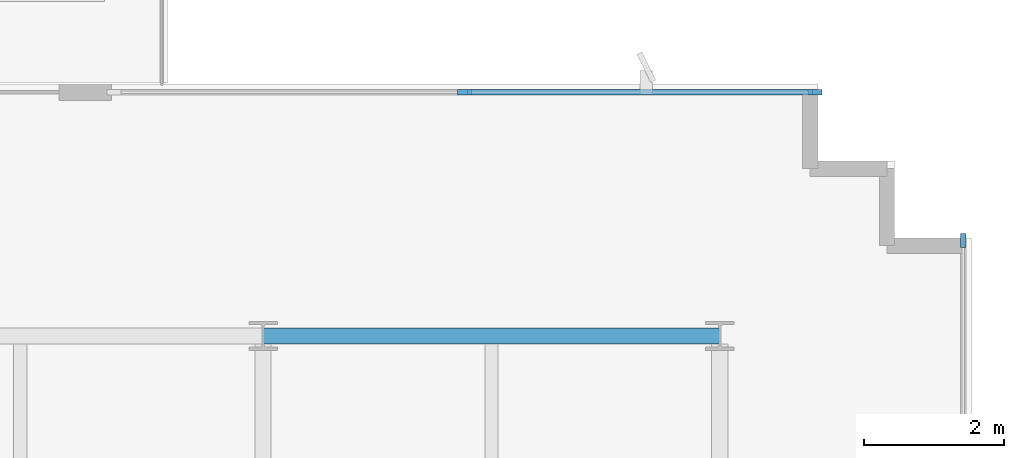
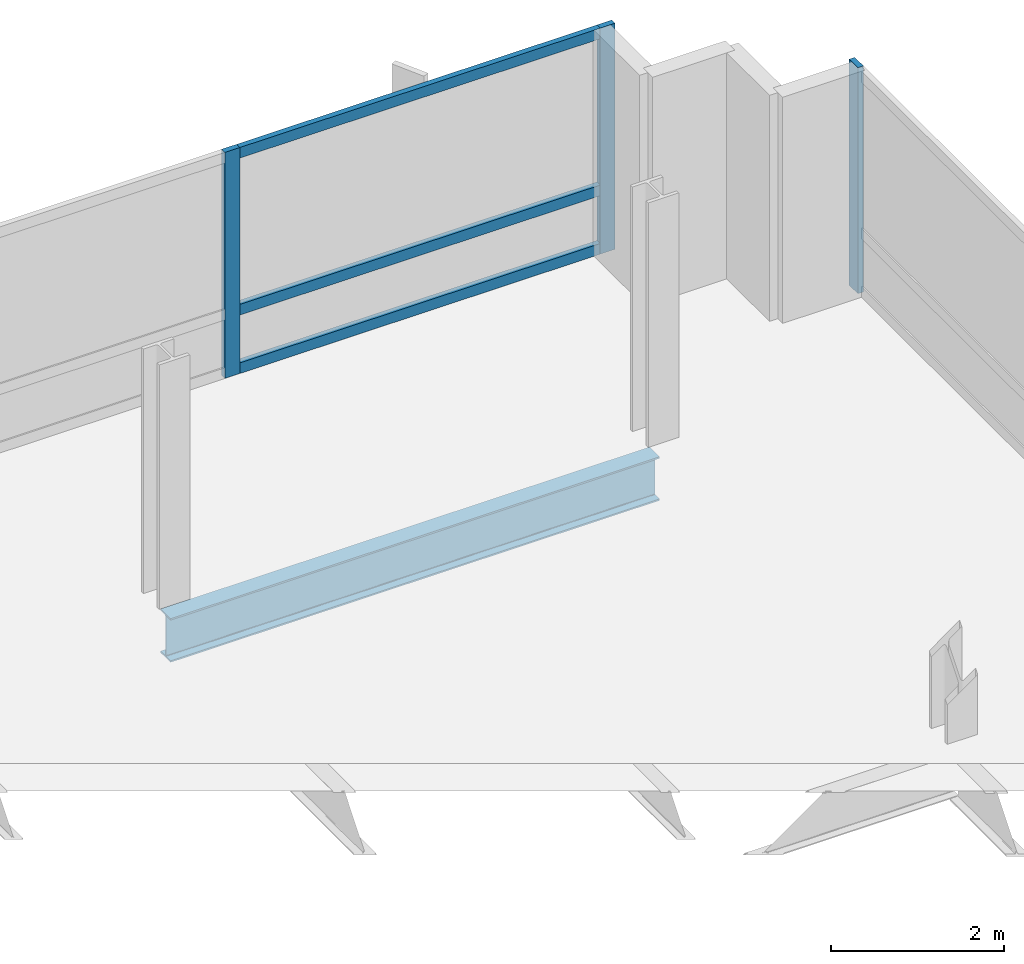
# One storey, part 6 of 13: 6 members, 1 beam, 2 elements without a shape of their own.
"""IFC4 building model written with IfcOpenShell, lengths in metres."""

import ifcopenshell
import ifcopenshell.guid

model = None  # the IFC model being written
_history = None  # IfcOwnerHistory: only IFC2X3 demands one
_inside = {}  # id of a spatial element -> (the spatial element, [elements in it])
_under = {}  # id of a project, library or spatial element -> (it, [spatial elements below it])
_declared = {}  # id of a project -> (the project, [libraries it declares])
_typed = {}  # id of a type object -> (the type object, [elements of that type])
_made_of = {}  # id of a material, layer set ... -> (it, [elements and type objects made of it])


def new_model(schema):
    """Start an empty IFC model of exactly this schema.

    Asked for "IFC4X3", IfcOpenShell would pick the latest addendum, in which some entities
    have other attributes; the version numbers below select the first issue.
    IFC2X3 requires an IfcOwnerHistory on every rooted entity: one is made here for all.
    """
    global model, _history
    if schema == "IFC4X3":
        model = ifcopenshell.file(schema_version=(4, 3, 0, 0))
    else:
        model = ifcopenshell.file(schema=schema)
    _inside.clear()
    _under.clear()
    _declared.clear()
    _typed.clear()
    _made_of.clear()
    _history = None
    if model.schema == "IFC2X3":
        org = make("IfcOrganization", Name="unknown")
        user = make(
            "IfcPersonAndOrganization",
            ThePerson=make("IfcPerson", FamilyName="unknown"),
            TheOrganization=org,
        )
        app = make(
            "IfcApplication",
            ApplicationDeveloper=org,
            Version="unknown",
            ApplicationFullName="unknown",
            ApplicationIdentifier="unknown",
        )
        _history = make(
            "IfcOwnerHistory",
            OwningUser=user,
            OwningApplication=app,
            ChangeAction="ADDED",
            CreationDate=0,
        )
    return model


def make(cls, **values):
    """One entity of the class cls with the attributes given. An attribute that is None is left unset."""
    return model.create_entity(
        cls, **{name: value for name, value in values.items() if value is not None}
    )


def rooted(cls, **values):
    """An entity with a GlobalId (a new one), such as an element, a storey or a relation."""
    return make(cls, GlobalId=ifcopenshell.guid.new(), OwnerHistory=_history, **values)


def si_unit(unit_type, name, prefix=None):
    """IfcSIUnit, for example si_unit("LENGTHUNIT", "METRE", prefix="MILLI")."""
    return make("IfcSIUnit", UnitType=unit_type, Prefix=prefix, Name=name)


def assignment(units):
    """IfcUnitAssignment: the units of a project."""
    return None if units is None else make("IfcUnitAssignment", Units=units)


def point(xyz):
    """IfcCartesianPoint."""
    return None if xyz is None else make("IfcCartesianPoint", Coordinates=xyz)


def direction(xyz):
    """IfcDirection."""
    return None if xyz is None else make("IfcDirection", DirectionRatios=xyz)


def frame(location, z_axis=None, x_axis=None):
    """IfcAxis2Placement3D, a coordinate frame: its origin and axes. An axis left out is left unset."""
    return make(
        "IfcAxis2Placement3D",
        Location=point(location),
        Axis=direction(z_axis),
        RefDirection=direction(x_axis),
    )


def frame_2d(location, x_axis=None):
    """IfcAxis2Placement2D, a coordinate frame in the plane: its origin and x axis."""
    return make(
        "IfcAxis2Placement2D", Location=point(location), RefDirection=direction(x_axis)
    )


def origin():
    """The frame at (0, 0, 0) with its axes left unset."""
    return frame((0.0, 0.0, 0.0))


def origin_2d():
    """The frame at (0, 0) in the plane with its x axis left unset."""
    return frame_2d((0.0, 0.0))


def place(relative_to, where):
    """IfcLocalPlacement: puts the frame where relative to a parent placement (None: the world)."""
    return make(
        "IfcLocalPlacement", PlacementRelTo=relative_to, RelativePlacement=where
    )


def context(
    kind, dimensions, precision=None, world=None, true_north=None, identifier=None
):
    """IfcGeometricRepresentationContext, for example the 3D "Model" context."""
    return make(
        "IfcGeometricRepresentationContext",
        ContextIdentifier=identifier,
        ContextType=kind,
        CoordinateSpaceDimension=dimensions,
        Precision=precision,
        WorldCoordinateSystem=world,
        TrueNorth=true_north,
    )


def subcontext(parent, identifier, kind, view, scale=None):
    """IfcGeometricRepresentationSubContext, for example "Body" below "Model"."""
    return make(
        "IfcGeometricRepresentationSubContext",
        ContextIdentifier=identifier,
        ContextType=kind,
        ParentContext=parent,
        TargetScale=scale,
        TargetView=view,
    )


def project(units=None, contexts=None):
    """IfcProject with its units and contexts."""
    return rooted(
        "IfcProject",
        Name="project",
        RepresentationContexts=contexts,
        UnitsInContext=assignment(units),
    )


def spatial(cls, under=None, at=None, **own):
    """A site, building, storey or space (cls), placed at a placement, below another one or the project."""
    s = rooted(cls, ObjectPlacement=at, **own)
    if under is not None:
        _under.setdefault(under.id(), (under, []))[1].append(s)
    return s


def profile(cls, at=None, kind="AREA", **sizes):
    """A parametric profile (cls). Its sizes go by their IFC names, for example OverallWidth=200.0."""
    return make(cls, ProfileType=kind, Position=at, **sizes)


def rectangle(**sizes):
    """IfcRectangleProfileDef."""
    return profile("IfcRectangleProfileDef", **sizes)


def i_section(**sizes):
    """IfcIShapeProfileDef."""
    return profile("IfcIShapeProfileDef", **sizes)


def extrude(swept, where, along, depth):
    """IfcExtrudedAreaSolid: the profile swept, set in the frame where, extruded along a direction by depth."""
    return make(
        "IfcExtrudedAreaSolid",
        SweptArea=swept,
        Position=where,
        ExtrudedDirection=direction(along),
        Depth=depth,
    )


def shape(context_of_items, identifier, shape_type, items):
    """IfcShapeRepresentation: the items that make up one representation, for example the "Body"."""
    return make(
        "IfcShapeRepresentation",
        ContextOfItems=context_of_items,
        RepresentationIdentifier=identifier,
        RepresentationType=shape_type,
        Items=items,
    )


def material(Name=None, Category=None):
    """IfcMaterial."""
    return make("IfcMaterial", Name=Name, Category=Category)


def material_profile(
    of_material, cross_section, Name=None, Category=None, Priority=None
):
    """IfcMaterialProfile: a cross section and its material."""
    return make(
        "IfcMaterialProfile",
        Name=Name,
        Material=of_material,
        Profile=cross_section,
        Priority=Priority,
        Category=Category,
    )


def profile_set(profiles, Name=None, composite=None):
    """IfcMaterialProfileSet."""
    return make(
        "IfcMaterialProfileSet",
        Name=Name,
        MaterialProfiles=profiles,
        CompositeProfile=composite,
    )


def made_of(thing, what):
    """Note that an element or type object is made of a material, layer set ...; save() writes the relation."""
    if what is not None:
        _made_of.setdefault(what.id(), (what, []))[1].append(thing)
    return thing


def type_object(cls, material=None, **own):
    """A type object (cls), such as IfcWallType, which elements share."""
    return made_of(rooted(cls, **own), material)


def element(
    cls,
    number,
    at=None,
    inside=None,
    cuts=None,
    type_object=None,
    material=None,
    context=None,
    identifier="Body",
    shape_type=None,
    held_by="IfcProductDefinitionShape",
    body=None,
    shapes=None,
    **own,
):
    """One element of the class cls, such as IfcWall. Its Tag is "e" and its number.

    at: its placement. inside: the storey or other place that contains it. cuts: it is an
    opening in that element (IfcRelVoidsElement). A single representation is given by context,
    identifier, shape_type and body (its items); several are given by shapes. held_by: the class
    of the entity that holds the representations. save() writes the other relations.
    """
    e = rooted(cls, Tag="e%d" % number, ObjectPlacement=at, **own)
    if body is not None:
        shapes = [shape(context, identifier, shape_type, body)]
    if shapes is not None:
        e.Representation = make(held_by, Representations=shapes)
    if inside is not None:
        _inside.setdefault(inside.id(), (inside, []))[1].append(e)
    if cuts is not None:
        rooted(
            "IfcRelVoidsElement", RelatingBuildingElement=cuts, RelatedOpeningElement=e
        )
    if type_object is not None:
        _typed.setdefault(type_object.id(), (type_object, []))[1].append(e)
    return made_of(e, material)


def aggregate(whole, parts):
    """IfcRelAggregates: a whole, such as a stair, and the parts it consists of."""
    return rooted("IfcRelAggregates", RelatingObject=whole, RelatedObjects=parts)


def save(model, path):
    """Write the relations noted so far, then the file.

    IfcRelAggregates (storeys below a building ...), IfcRelContainedInSpatialStructure (elements
    in a storey), IfcRelDefinesByType, IfcRelAssociatesMaterial and IfcRelDeclares: one each for
    every whole, place, type object, material and project.
    """
    for whole, parts in _under.values():
        aggregate(whole, parts)
    for where, things in _inside.values():
        rooted(
            "IfcRelContainedInSpatialStructure",
            RelatedElements=things,
            RelatingStructure=where,
        )
    for kind, things in _typed.values():
        rooted("IfcRelDefinesByType", RelatedObjects=things, RelatingType=kind)
    for what, things in _made_of.values():
        rooted("IfcRelAssociatesMaterial", RelatedObjects=things, RelatingMaterial=what)
    for by, libraries in _declared.values():
        rooted("IfcRelDeclares", RelatingContext=by, RelatedDefinitions=libraries)
    model.write(path)


model = new_model("IFC4")

# Units and contexts
model_context = context("Model", 3, precision=1e-05, world=origin(), true_north=direction((0.0, 1.0)))
body_context = subcontext(model_context, "Body", "Model", "MODEL_VIEW")
ifc_project = project(units=[si_unit("LENGTHUNIT", "METRE"), si_unit("AREAUNIT", "SQUARE_METRE"), si_unit("VOLUMEUNIT", "CUBIC_METRE"), si_unit("PLANEANGLEUNIT", "RADIAN"), si_unit("MASSUNIT", "GRAM", prefix="KILO")], contexts=[model_context])

# Site, building, storey
site_placement = place(None, origin())
site = spatial("IfcSite", under=ifc_project, at=site_placement, CompositionType="ELEMENT")
building_placement = place(site_placement, origin())
building = spatial("IfcBuilding", under=site, at=building_placement, Name="Solmavex Isthmus Hotel", CompositionType="ELEMENT")
storey_placement = place(building_placement, frame((0.0, 0.0, 276.449951171875)))
storey = spatial("IfcBuildingStorey", under=building, at=storey_placement, Name="L75", CompositionType="ELEMENT", Elevation=276.449951171875)

# Beam
ifc_material_1 = material(Name="Steel ASTM A992 Grade 50", Category="steel")
ifc_material_profile_1 = material_profile(ifc_material_1, i_section(OverallWidth=0.230224609375, OverallDepth=0.617431640625, WebThickness=0.01318359375, FlangeThickness=0.022216796875, FilletRadius=0.01513671875, at=origin_2d()), Name="W24X94")
ifc_profile_set_1 = profile_set([ifc_material_profile_1], Name="Steel ASTM A992 Grade 50")
beam_type = type_object("IfcBeamType", Name="BM-SP-W24X94", PredefinedType="SPANDREL", material=ifc_profile_set_1)
beam_placement = place(storey_placement, frame((13.8720703125, 17.699951171875, -0.568603515625), z_axis=(1.0, 0.0, 0.0), x_axis=(0.0, 1.0, 0.0)))
element("IfcBeam", 1, at=beam_placement, inside=storey, type_object=beam_type, Name="Floor Girder L75-UG20", PredefinedType="SPANDREL", context=body_context, shape_type="SweptSolid", body=[
    extrude(i_section(OverallWidth=0.230224609375, OverallDepth=0.617431640625, WebThickness=0.01318359375, FlangeThickness=0.022216796875, FilletRadius=0.01513671875, at=origin_2d()), origin(), (0.0, 0.0, 1.0), 6.52783203125),
])

# Curtain wall, members
ifc_material_2 = material(Name="Aluminium alloy 6063-T6", Category="aluminium")
curtain_wall_type = type_object("IfcCurtainWallType", Name="CW-SYS-04", PredefinedType="NOTDEFINED", material=ifc_material_2)
curtain_wall_1_placement = place(storey_placement, origin())
curtain_wall_1 = element("IfcCurtainWall", 2, at=curtain_wall_1_placement, inside=storey, type_object=curtain_wall_type, Name="Stick Curtain Wall CWL-L75-N3", PredefinedType="NOTDEFINED")
ifc_material_profile_2 = material_profile(ifc_material_2, rectangle(XDim=0.074951171875, YDim=0.199951171875, at=origin_2d()), Name="CWM-75X200")
ifc_profile_set_2 = profile_set([ifc_material_profile_2], Name="Aluminium alloy 6063-T6")
member_type_1 = type_object("IfcMemberType", Name="CW-SYS-04-MUL", PredefinedType="MULLION", material=ifc_profile_set_2)
member_1_placement = place(storey_placement, frame((16.751953125, 21.179931640625, 0.0), z_axis=(0.0, 0.0, 1.0), x_axis=(0.0, 1.0, 0.0)))
member_1 = element("IfcMember", 3, at=member_1_placement, type_object=member_type_1, Name="CW-04 mullion 2", PredefinedType="MULLION", context=body_context, shape_type="SweptSolid", body=[
    extrude(rectangle(XDim=0.074951171875, YDim=0.199951171875, at=origin_2d()), origin(), (0.0, 0.0, 1.0), 3.18994140625),
])
member_2_placement = place(storey_placement, frame((21.762451171875, 21.179931640625, 0.0), z_axis=(0.0, 0.0, 1.0), x_axis=(0.0, 1.0, 0.0)))
member_2 = element("IfcMember", 4, at=member_2_placement, type_object=member_type_1, Name="CW-04 mullion 3", PredefinedType="MULLION", context=body_context, shape_type="SweptSolid", body=[
    extrude(rectangle(XDim=0.074951171875, YDim=0.199951171875, at=origin_2d()), origin(), (0.0, 0.0, 1.0), 3.18994140625),
])

# Curtain wall, member
curtain_wall_2_placement = place(storey_placement, origin())
curtain_wall_2 = element("IfcCurtainWall", 5, at=curtain_wall_2_placement, inside=storey, type_object=curtain_wall_type, Name="Stick Curtain Wall CWL-L75-E1", PredefinedType="NOTDEFINED")
member_3_placement = place(storey_placement, frame((23.8798828125, 19.0625, 0.0), z_axis=(0.0, 0.0, 1.0), x_axis=(-1.0, 0.0, 0.0)))
member_3 = element("IfcMember", 6, at=member_3_placement, type_object=member_type_1, Name="CW-04 mullion 6", PredefinedType="MULLION", context=body_context, shape_type="SweptSolid", body=[
    extrude(rectangle(XDim=0.074951171875, YDim=0.199951171875, at=origin_2d()), origin(), (0.0, 0.0, 1.0), 3.18994140625),
])
aggregate(curtain_wall_2, [member_3])

# Member
ifc_material_profile_3 = material_profile(ifc_material_2, rectangle(XDim=0.074951171875, YDim=0.14990234375, at=origin_2d()), Name="CWT-75X150")
ifc_profile_set_3 = profile_set([ifc_material_profile_3], Name="Aluminium alloy 6063-T6")
member_type_2 = type_object("IfcMemberType", Name="CW-SYS-04-TRN", PredefinedType="USERDEFINED", material=ifc_profile_set_3)
member_4_placement = place(storey_placement, frame((16.78955078125, 21.179931640625, 0.074951171875), z_axis=(1.0, 0.0, 0.0), x_axis=(0.0, 1.0, 0.0)))
member_4 = element("IfcMember", 7, at=member_4_placement, type_object=member_type_2, Name="CW-04 transom 2.1", ObjectType="TRANSOM", PredefinedType="USERDEFINED", context=body_context, shape_type="SweptSolid", body=[
    extrude(rectangle(XDim=0.074951171875, YDim=0.14990234375, at=origin_2d()), origin(), (0.0, 0.0, 1.0), 4.935546875),
])

member_5_placement = place(storey_placement, frame((16.78955078125, 21.179931640625, 0.900146484375), z_axis=(1.0, 0.0, 0.0), x_axis=(0.0, 1.0, 0.0)))
member_5 = element("IfcMember", 8, at=member_5_placement, type_object=member_type_2, Name="CW-04 transom 2.2", ObjectType="TRANSOM", PredefinedType="USERDEFINED", context=body_context, shape_type="SweptSolid", body=[
    extrude(rectangle(XDim=0.074951171875, YDim=0.14990234375, at=origin_2d()), origin(), (0.0, 0.0, 1.0), 4.935546875),
])

member_6_placement = place(storey_placement, frame((16.78955078125, 21.179931640625, 3.114990234375), z_axis=(1.0, 0.0, 0.0), x_axis=(0.0, 1.0, 0.0)))
member_6 = element("IfcMember", 9, at=member_6_placement, type_object=member_type_2, Name="CW-04 transom 2.3", ObjectType="TRANSOM", PredefinedType="USERDEFINED", context=body_context, shape_type="SweptSolid", body=[
    extrude(rectangle(XDim=0.074951171875, YDim=0.14990234375, at=origin_2d()), origin(), (0.0, 0.0, 1.0), 4.935546875),
])

aggregate(curtain_wall_1, [member_1, member_2, member_4, member_5, member_6])

save(model, "model.ifc")
